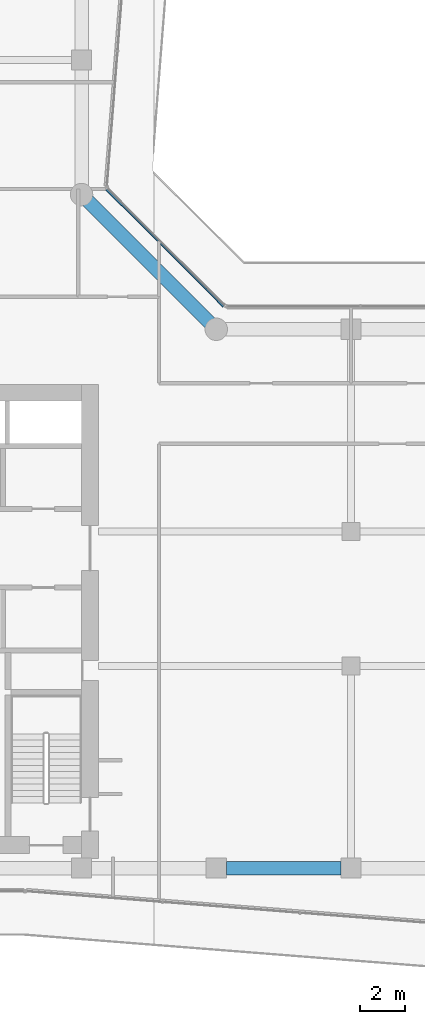
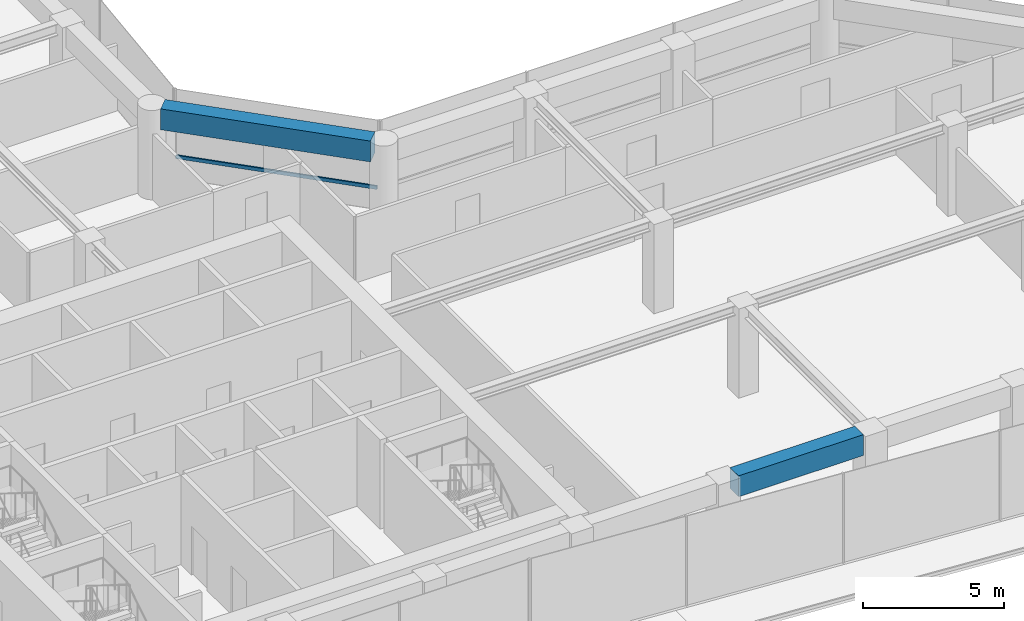
# One storey, part 5 of 24: 2 beams, 1 member, 1 element without a shape of its own.
"""IFC4 building model written with IfcOpenShell, lengths in metres."""

from ifc_helpers import new_model, si_unit, direction, frame, origin, origin_2d, place, context, subcontext, project, spatial, rectangle, extrude, material, layer, layer_set, material_profile, profile_set, type_object, element, aggregate, save


model = new_model("IFC4")

# Units and contexts
model_context = context("Model", 3, precision=1e-05, world=origin(), true_north=direction((0.0, 1.0)))
body_context = subcontext(model_context, "Body", "Model", "MODEL_VIEW")
ifc_project = project(units=[si_unit("LENGTHUNIT", "METRE"), si_unit("AREAUNIT", "SQUARE_METRE"), si_unit("VOLUMEUNIT", "CUBIC_METRE"), si_unit("PLANEANGLEUNIT", "RADIAN"), si_unit("MASSUNIT", "GRAM", prefix="KILO")], contexts=[model_context])

# Site, building, storey
site_placement = place(None, origin())
site = spatial("IfcSite", under=ifc_project, at=site_placement, CompositionType="ELEMENT")
building_placement = place(site_placement, origin())
building = spatial("IfcBuilding", under=site, at=building_placement, Name="Welwitschia Terrace Campus", CompositionType="ELEMENT")
storey_placement = place(building_placement, frame((0.0, 0.0, 129.800048828125)))
storey = spatial("IfcBuildingStorey", under=building, at=storey_placement, Name="L29", CompositionType="ELEMENT", Elevation=129.800048828125)

# Beams
ifc_material_1 = material(Name="Concrete C60/75", Category="concrete")
ifc_material_profile_1 = material_profile(ifc_material_1, rectangle(XDim=0.60009765625, YDim=0.89990234375, at=origin_2d()))
ifc_profile_set_1 = profile_set([ifc_material_profile_1], Name="Concrete C60/75")
beam_type = type_object("IfcBeamType", Name="Ring spandrel 600x900", PredefinedType="SPANDREL", material=ifc_profile_set_1)
beam_1_placement = place(storey_placement, frame((30.450439453125, 4.0, 3.39990234375), z_axis=(1.0, 0.0, 0.0), x_axis=(0.0, 1.0, 0.0)))
element("IfcBeam", 1, at=beam_1_placement, inside=storey, type_object=beam_type, Name="Spandrel SP2", PredefinedType="SPANDREL", context=body_context, shape_type="SweptSolid", body=[
    extrude(rectangle(XDim=0.60009765625, YDim=0.89990234375, at=origin_2d()), origin(), (0.0, 0.0, 1.0), 5.09912109375),
])
beam_2_placement = place(storey_placement, frame((29.716796875, 28.283203125, 3.39990234375), z_axis=(-0.707106781187, 0.707106781187, 0.0), x_axis=(-0.707106781187, -0.707106781187, 0.0)))
element("IfcBeam", 2, at=beam_2_placement, inside=storey, type_object=beam_type, Name="Spandrel SP2", PredefinedType="SPANDREL", context=body_context, shape_type="SweptSolid", body=[
    extrude(rectangle(XDim=0.60009765625, YDim=0.89990234375, at=origin_2d()), origin(), (0.0, 0.0, 1.0), 7.684326171875),
])

# Curtain wall, member
ifc_material_2 = material(Name="Bronze anodised aluminium", Category="aluminium")
ifc_layer = layer(ifc_material_2, 0.1201171875)
ifc_layer_set = layer_set([ifc_layer], Name="Bronze anodised aluminium")
curtain_wall_type = type_object("IfcCurtainWallType", Name="Curtain wall CW2 tower 6000", PredefinedType="NOTDEFINED", material=ifc_layer_set)
curtain_wall_placement = place(storey_placement, origin())
curtain_wall = element("IfcCurtainWall", 3, at=curtain_wall_placement, inside=storey, type_object=curtain_wall_type, Name="CW L29.9.0", PredefinedType="NOTDEFINED")
ifc_material_3 = material(Name="Bronze anodised aluminium", Category="aluminium")
ifc_material_profile_2 = material_profile(ifc_material_3, rectangle(XDim=0.06005859375, YDim=0.14990234375, at=origin_2d()))
ifc_profile_set_2 = profile_set([ifc_material_profile_2], Name="Bronze anodised aluminium")
member_type = type_object("IfcMemberType", Name="Transom 60x150", PredefinedType="USERDEFINED", material=ifc_profile_set_2)
member_placement = place(storey_placement, frame((30.320556640625, 29.0087890625, 1.0), z_axis=(-0.707106781187, 0.707106781187, 0.0), x_axis=(-0.707106781187, -0.707106781187, 0.0)))
member = element("IfcMember", 4, at=member_placement, type_object=member_type, Name="Transom L29.9.0", ObjectType="TRANSOM", PredefinedType="USERDEFINED", context=body_context, shape_type="SweptSolid", body=[
    extrude(rectangle(XDim=0.06005859375, YDim=0.14990234375, at=origin_2d()), origin(), (0.0, 0.0, 1.0), 7.373779296875),
])
aggregate(curtain_wall, [member])

save(model, "model.ifc")
